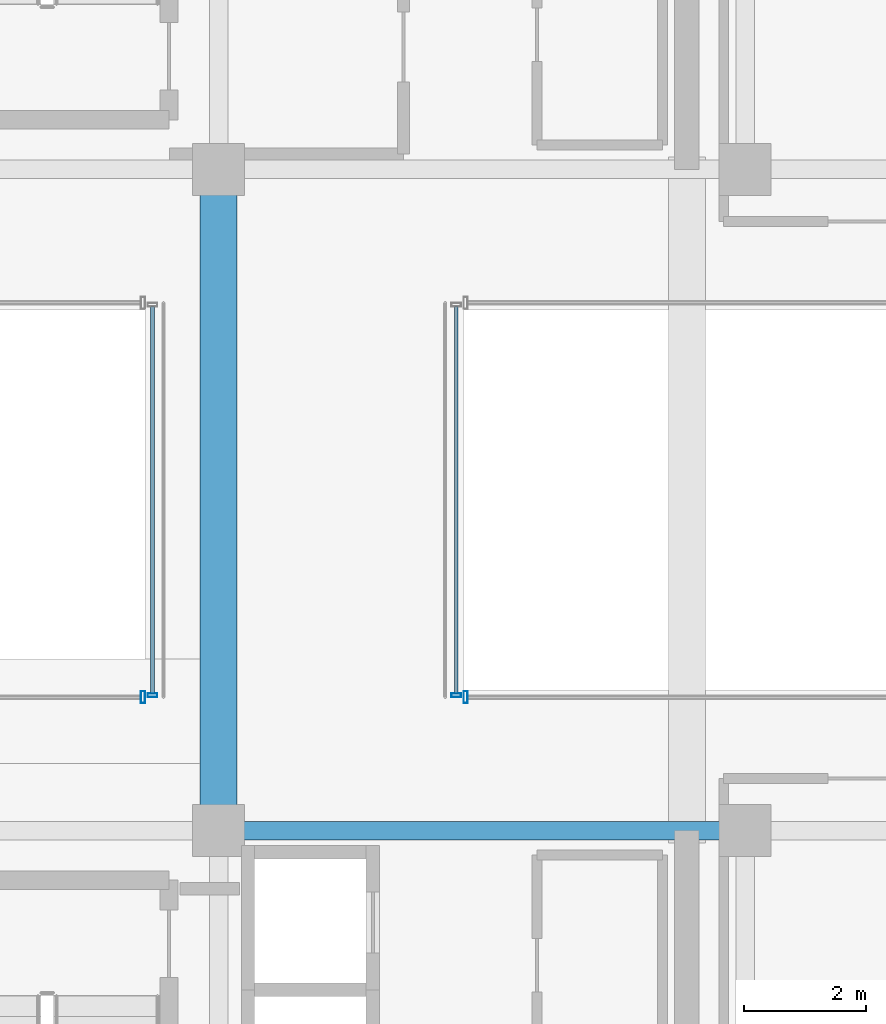
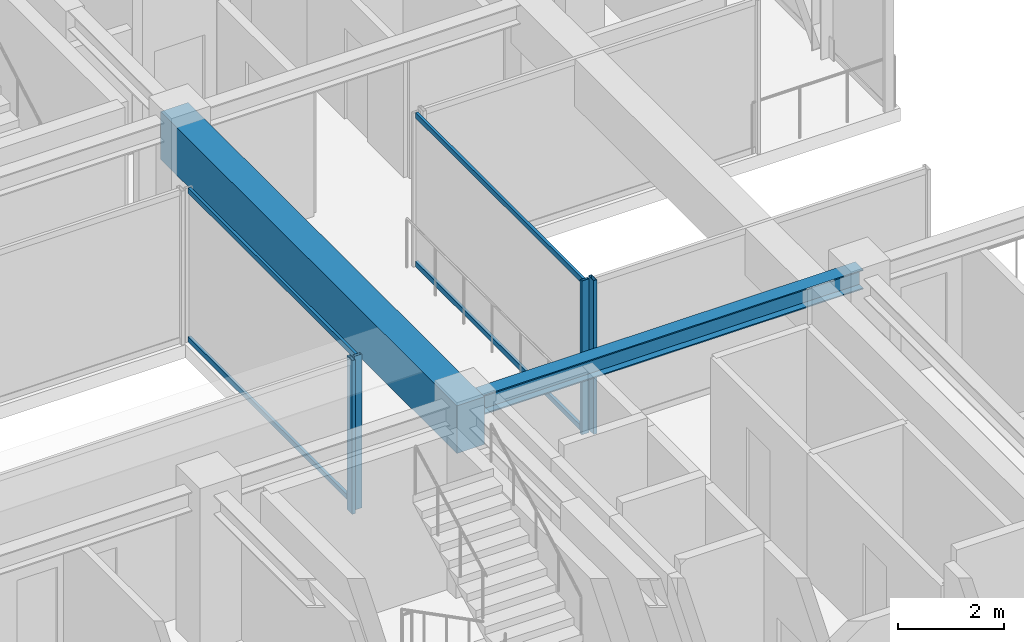
# One storey, part 19 of 41: 8 members, 2 beams, 4 elements without a shape of their own.
"""IFC4 building model written with IfcOpenShell, lengths in metres."""

from ifc_helpers import new_model, si_unit, direction, frame, origin, origin_2d, place, context, subcontext, project, spatial, rectangle, hollow_rectangle, i_section, extrude, source, transform, mapped, material, material_profile, profile_set, type_object, element, aggregate, save


model = new_model("IFC4")

# Units and contexts
model_context = context("Model", 3, precision=1e-05, world=origin(), true_north=direction((0.0, 1.0)))
body_context = subcontext(model_context, "Body", "Model", "MODEL_VIEW")
ifc_project = project(units=[si_unit("LENGTHUNIT", "METRE"), si_unit("AREAUNIT", "SQUARE_METRE"), si_unit("VOLUMEUNIT", "CUBIC_METRE"), si_unit("PLANEANGLEUNIT", "RADIAN"), si_unit("MASSUNIT", "GRAM", prefix="KILO")], contexts=[model_context])

# Site, building, storey
site_placement = place(None, origin())
site = spatial("IfcSite", under=ifc_project, at=site_placement, CompositionType="ELEMENT")
building_placement = place(site_placement, origin())
building = spatial("IfcBuilding", under=site, at=building_placement, Name="Nahalor Promenade Grand Hotel", CompositionType="ELEMENT")
storey_placement = place(building_placement, frame((0.0, 0.0, 304.199951171875)))
storey = spatial("IfcBuildingStorey", under=building, at=storey_placement, Name="L78", CompositionType="ELEMENT", Elevation=304.199951171875)

# Beams
ifc_material_1 = material(Name="Concrete B-60 (C50/60)", Category="concrete")
ifc_material_profile_1 = material_profile(ifc_material_1, rectangle(XDim=0.6, YDim=1.1, at=origin_2d()), Name="RC 600x1100")
ifc_profile_set_1 = profile_set([ifc_material_profile_1], Name="Concrete B-60 (C50/60)")
beam_type_1 = type_object("IfcBeamType", Name="Beam-Lintel-RC1100", PredefinedType="LINTEL", material=ifc_profile_set_1)
shared_shape_1 = source(origin(), body_context, "Body", "SweptSolid", [
    extrude(rectangle(XDim=0.6, YDim=1.1, at=origin_2d()), origin(), (0.0, 0.0, 1.0), 11.2001953125),
])
beam_1_placement = place(storey_placement, frame((8.39990234375, -5.60009765625, 3.0), z_axis=(0.0, 1.0, 0.0), x_axis=(-1.0, 0.0, 0.0)))
element("IfcBeam", 1, at=beam_1_placement, inside=storey, type_object=beam_type_1, Name="BM-L78-LINT-W", PredefinedType="LINTEL", context=body_context, shape_type="MappedRepresentation", body=[
    mapped(shared_shape_1, transform((0.0, 0.0, 0.0), scale=1.0)),
])
ifc_material_2 = material(Name="Steel S355JR", Category="steel")
ifc_material_profile_2 = material_profile(ifc_material_2, i_section(OverallWidth=0.3, OverallDepth=0.45, WebThickness=0.014, FlangeThickness=0.026, at=origin_2d()), Name="HEB 450")
ifc_profile_set_2 = profile_set([ifc_material_profile_2], Name="Steel S355JR")
beam_type_2 = type_object("IfcBeamType", Name="Beam-Girder-HEB450", PredefinedType="BEAM", material=ifc_profile_set_2)
shared_shape_2 = source(origin(), body_context, "Body", "SweptSolid", [
    extrude(i_section(OverallWidth=0.3, OverallDepth=0.45, WebThickness=0.014, FlangeThickness=0.026, at=origin_2d()), origin(), (0.0, 0.0, 1.0), 8.60009765625),
])
beam_2_placement = place(storey_placement, frame((8.39990234375, -5.39990234375, 3.324951171875), z_axis=(1.0, 0.0, 0.0), x_axis=(0.0, 1.0, 0.0)))
element("IfcBeam", 2, at=beam_2_placement, inside=storey, type_object=beam_type_2, Name="BM-L78-GX-1-5", PredefinedType="BEAM", context=body_context, shape_type="MappedRepresentation", body=[
    mapped(shared_shape_2, transform((0.0, 0.0, 0.0), scale=1.0)),
])

# Curtain wall, members
ifc_material_3 = material(Name="Anodised Bronze Aluminium EN AW-6063 T6", Category="aluminium")
curtain_wall_type_1 = type_object("IfcCurtainWallType", Name="CW4 Low-Iron Sky-Gallery Bridge Curtain Wall", PredefinedType="USERDEFINED", material=ifc_material_3)
curtain_wall_1_placement = place(storey_placement, origin())
curtain_wall_1 = element("IfcCurtainWall", 3, at=curtain_wall_1_placement, inside=storey, type_object=curtain_wall_type_1, Name="L78 Curtain Wall CW-L78-BRG-W", ObjectType="UNITISED_CURTAIN_WALL", PredefinedType="USERDEFINED")
ifc_material_profile_3 = material_profile(ifc_material_3, hollow_rectangle(XDim=0.06, YDim=0.12, WallThickness=0.004, at=origin_2d()), Name="CWT 60x120x4")
ifc_profile_set_3 = profile_set([ifc_material_profile_3], Name="Anodised Bronze Aluminium EN AW-6063 T6")
member_type_1 = type_object("IfcMemberType", Name="CWT4 Sky-Gallery Slim Transom 60x120", PredefinedType="USERDEFINED", material=ifc_profile_set_3)
shared_shape_3 = source(origin(), body_context, "Body", "SweptSolid", [
    extrude(hollow_rectangle(XDim=0.06, YDim=0.12, WallThickness=0.004, at=origin_2d()), origin(), (0.0, 0.0, 1.0), 6.31982421875),
])
member_1_placement = place(storey_placement, frame((7.320068359375, -3.159912109375, 0.06005859375), z_axis=(0.0, 1.0, 0.0), x_axis=(-1.0, 0.0, 0.0)))
member_1 = element("IfcMember", 4, at=member_1_placement, type_object=member_type_1, Name="CW-L78-BRG-W Transom 0-0", ObjectType="TRANSOM", PredefinedType="USERDEFINED", context=body_context, shape_type="MappedRepresentation", body=[
    mapped(shared_shape_3, transform((0.0, 0.0, 0.0), scale=1.0)),
])
member_2_placement = place(storey_placement, frame((7.320068359375, -3.159912109375, 3.489990234375), z_axis=(0.0, 1.0, 0.0), x_axis=(-1.0, 0.0, 0.0)))
member_2 = element("IfcMember", 5, at=member_2_placement, type_object=member_type_1, Name="CW-L78-BRG-W Transom 0-1", ObjectType="TRANSOM", PredefinedType="USERDEFINED", context=body_context, shape_type="MappedRepresentation", body=[
    mapped(shared_shape_3, transform((0.0, 0.0, 0.0), scale=1.0)),
])

curtain_wall_2_placement = place(storey_placement, origin())
curtain_wall_2 = element("IfcCurtainWall", 6, at=curtain_wall_2_placement, inside=storey, type_object=curtain_wall_type_1, Name="L78 Curtain Wall CW-L78-BRG-E", ObjectType="UNITISED_CURTAIN_WALL", PredefinedType="USERDEFINED")
member_3_placement = place(storey_placement, frame((12.280029296875, -3.159912109375, 0.06005859375), z_axis=(0.0, 1.0, 0.0), x_axis=(-1.0, 0.0, 0.0)))
member_3 = element("IfcMember", 7, at=member_3_placement, type_object=member_type_1, Name="CW-L78-BRG-E Transom 0-0", ObjectType="TRANSOM", PredefinedType="USERDEFINED", context=body_context, shape_type="MappedRepresentation", body=[
    mapped(shared_shape_3, transform((0.0, 0.0, 0.0), scale=1.0)),
])
member_4_placement = place(storey_placement, frame((12.280029296875, -3.159912109375, 3.489990234375), z_axis=(0.0, 1.0, 0.0), x_axis=(-1.0, 0.0, 0.0)))
member_4 = element("IfcMember", 8, at=member_4_placement, type_object=member_type_1, Name="CW-L78-BRG-E Transom 0-1", ObjectType="TRANSOM", PredefinedType="USERDEFINED", context=body_context, shape_type="MappedRepresentation", body=[
    mapped(shared_shape_3, transform((0.0, 0.0, 0.0), scale=1.0)),
])

# Curtain wall, member
curtain_wall_type_2 = type_object("IfcCurtainWallType", Name="CW3 Elliptical-Void Collar Unitised Curtain Wall", PredefinedType="USERDEFINED", material=ifc_material_3)
curtain_wall_3_placement = place(storey_placement, origin())
curtain_wall_3 = element("IfcCurtainWall", 9, at=curtain_wall_3_placement, inside=storey, type_object=curtain_wall_type_2, Name="L78 Curtain Wall CW-L78-VOID-WS1", ObjectType="UNITISED_CURTAIN_WALL", PredefinedType="USERDEFINED")
ifc_material_profile_4 = material_profile(ifc_material_3, hollow_rectangle(XDim=0.07, YDim=0.2, WallThickness=0.005, at=origin_2d()), Name="CWM 70x200x5")
ifc_profile_set_4 = profile_set([ifc_material_profile_4], Name="Anodised Bronze Aluminium EN AW-6063 T6")
member_type_2 = type_object("IfcMemberType", Name="CWM3 Void Collar Mullion 70x200", PredefinedType="MULLION", material=ifc_profile_set_4)
shared_shape_4 = source(origin(), body_context, "Body", "SweptSolid", [
    extrude(hollow_rectangle(XDim=0.07, YDim=0.2, WallThickness=0.005, at=origin_2d()), origin(), (0.0, 0.0, 1.0), 3.550048828125),
])
member_5_placement = place(storey_placement, frame((7.1650390625, -3.219970703125, 0.0), z_axis=(0.0, 0.0, 1.0), x_axis=(1.0, 0.0, 0.0)))
member_5 = element("IfcMember", 10, at=member_5_placement, type_object=member_type_2, Name="CW-L78-VOID-WS1 Mullion 3", PredefinedType="MULLION", context=body_context, shape_type="MappedRepresentation", body=[
    mapped(shared_shape_4, transform((0.0, 0.0, 0.0), scale=1.0)),
])
aggregate(curtain_wall_3, [member_5])

curtain_wall_4_placement = place(storey_placement, origin())
curtain_wall_4 = element("IfcCurtainWall", 11, at=curtain_wall_4_placement, inside=storey, type_object=curtain_wall_type_2, Name="L78 Curtain Wall CW-L78-VOID-ES1", ObjectType="UNITISED_CURTAIN_WALL", PredefinedType="USERDEFINED")
member_6_placement = place(storey_placement, frame((12.43505859375, -3.219970703125, 0.0), z_axis=(0.0, 0.0, 1.0), x_axis=(1.0, 0.0, 0.0)))
member_6 = element("IfcMember", 12, at=member_6_placement, type_object=member_type_2, Name="CW-L78-VOID-ES1 Mullion 0", PredefinedType="MULLION", context=body_context, shape_type="MappedRepresentation", body=[
    mapped(shared_shape_4, transform((0.0, 0.0, 0.0), scale=1.0)),
])
aggregate(curtain_wall_4, [member_6])

# Member
ifc_material_profile_5 = material_profile(ifc_material_3, hollow_rectangle(XDim=0.06, YDim=0.16, WallThickness=0.004, at=origin_2d()), Name="CWM 60x160x4")
ifc_profile_set_5 = profile_set([ifc_material_profile_5], Name="Anodised Bronze Aluminium EN AW-6063 T6")
member_type_3 = type_object("IfcMemberType", Name="CWM4 Sky-Gallery Slim Mullion 60x160", PredefinedType="MULLION", material=ifc_profile_set_5)
shared_shape_5 = source(origin(), body_context, "Body", "SweptSolid", [
    extrude(hollow_rectangle(XDim=0.06, YDim=0.16, WallThickness=0.004, at=origin_2d()), origin(), (0.0, 0.0, 1.0), 3.550048828125),
])
member_7_placement = place(storey_placement, frame((7.320068359375, -3.18994140625, 0.0), z_axis=(0.0, 0.0, 1.0), x_axis=(0.0, 1.0, 0.0)))
member_7 = element("IfcMember", 13, at=member_7_placement, type_object=member_type_3, Name="CW-L78-BRG-W Mullion 0", PredefinedType="MULLION", context=body_context, shape_type="MappedRepresentation", body=[
    mapped(shared_shape_5, transform((0.0, 0.0, 0.0), scale=1.0)),
])

aggregate(curtain_wall_1, [member_7, member_1, member_2])

member_8_placement = place(storey_placement, frame((12.280029296875, -3.18994140625, 0.0), z_axis=(0.0, 0.0, 1.0), x_axis=(0.0, 1.0, 0.0)))
member_8 = element("IfcMember", 14, at=member_8_placement, type_object=member_type_3, Name="CW-L78-BRG-E Mullion 0", PredefinedType="MULLION", context=body_context, shape_type="MappedRepresentation", body=[
    mapped(shared_shape_5, transform((0.0, 0.0, 0.0), scale=1.0)),
])

aggregate(curtain_wall_2, [member_8, member_3, member_4])

save(model, "model.ifc")
